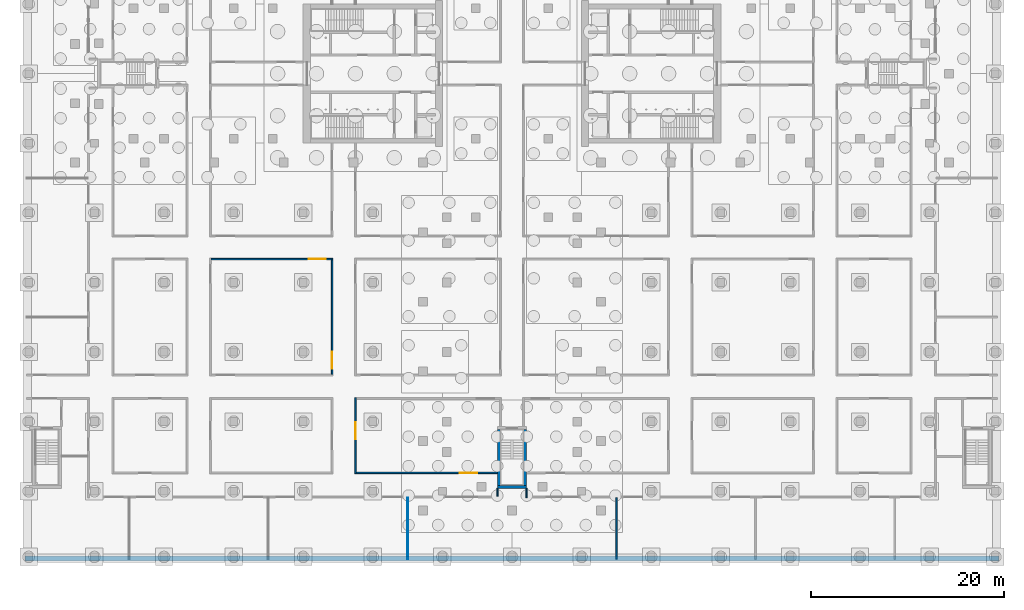
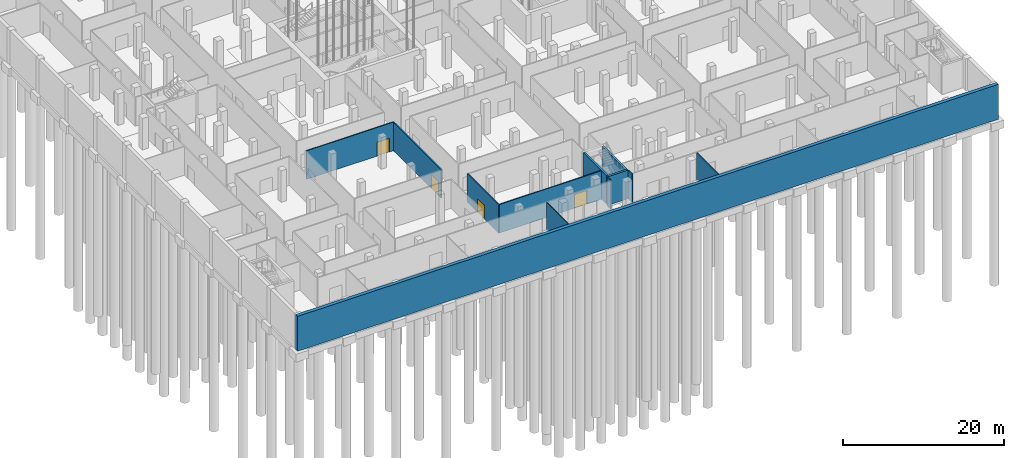
# One storey, part 7 of 54: 12 walls, 4 doors, 4 openings.
"""IFC4 building model written with IfcOpenShell, lengths in metres."""

from ifc_helpers import new_model, si_unit, direction, frame, frame_2d, origin, place, context, subcontext, project, spatial, rectangle, extrude, material, layer, layer_set, type_object, element, fill, save


model = new_model("IFC4")

# Units and contexts
model_context = context("Model", 3, precision=1e-05, world=origin(), true_north=direction((0.0, 1.0)))
body_context = subcontext(model_context, "Body", "Model", "MODEL_VIEW")
ifc_project = project(units=[si_unit("LENGTHUNIT", "METRE"), si_unit("AREAUNIT", "SQUARE_METRE"), si_unit("VOLUMEUNIT", "CUBIC_METRE"), si_unit("PLANEANGLEUNIT", "RADIAN"), si_unit("MASSUNIT", "GRAM", prefix="KILO")], contexts=[model_context])

# Site, building, storey
site_placement = place(None, origin())
site = spatial("IfcSite", under=ifc_project, at=site_placement, CompositionType="ELEMENT")
building_placement = place(site_placement, origin())
building = spatial("IfcBuilding", under=site, at=building_placement, Name="Fustian Cross Tower", CompositionType="ELEMENT")
storey_placement = place(building_placement, frame((0.0, 0.0, -4.800048828125)))
storey = spatial("IfcBuildingStorey", under=building, at=storey_placement, Name="B1", CompositionType="ELEMENT", Elevation=-4.800048828125)

# Wall, opening, door
ifc_material_1 = material(Name="Plasterboard on steel stud", Category="steel")
ifc_layer_1 = layer(ifc_material_1, 0.14990234375)
ifc_layer_set_1 = layer_set([ifc_layer_1], Name="Plasterboard on steel stud")
wall_type_1 = type_object("IfcWallType", Name="COMPARTMENT WALL 150 EI 60", PredefinedType="PARTITIONING", material=ifc_layer_set_1)
wall_1_placement = place(storey_placement, frame((-31.125, -19.199951171875, 0.0), z_axis=(0.0, 0.0, 1.0), x_axis=(1.0, 0.0, 0.0)))
wall_1 = element("IfcWall", 1, at=wall_1_placement, inside=storey, type_object=wall_type_1, Name="Partition 52", PredefinedType="PARTITIONING", context=body_context, shape_type="SweptSolid", body=[
    extrude(rectangle(XDim=12.60009765625, YDim=0.14990234375, at=frame_2d((6.300048828125, 0.0))), origin(), (0.0, 0.0, 1.0), 4.35009765625),
])
opening_1_placement = place(wall_1_placement, frame((10.074951171875, 0.0, 0.0)))
opening_1 = element("IfcOpeningElement", 2, at=opening_1_placement, cuts=wall_1, Name="Opening D01097", PredefinedType="OPENING", context=body_context, shape_type="SweptSolid", body=[
    extrude(rectangle(XDim=1.800048828125, YDim=2.10009765625, at=frame_2d((0.89990234375, 1.050048828125))), frame((0.0, 0.0849609375, 0.0), z_axis=(0.0, -1.0, 0.0), x_axis=(1.0, 0.0, 0.0)), (0.0, 0.0, 1.0), 0.169921875),
])
ifc_material_2 = material(Name="Timber fire door set", Category="wood")
door_type_1 = type_object("IfcDoorType", Name="FIRE DOUBLE DOOR 1800 FD60S", OperationType="DOUBLE_DOOR_DOUBLE_SWING", PredefinedType="DOOR", material=ifc_material_2)
door_1_placement = place(opening_1_placement, origin())
door_1 = element("IfcDoor", 3, at=door_1_placement, inside=storey, type_object=door_type_1, Name="Door D01097", OperationType="DOUBLE_DOOR_DOUBLE_SWING", OverallHeight=2.10009765625, OverallWidth=1.800048828125, PredefinedType="DOOR", context=body_context, shape_type="SweptSolid", body=[
    extrude(rectangle(XDim=1.800048828125, YDim=2.10009765625, at=frame_2d((0.89990234375, 1.050048828125))), frame((0.0, 0.02490234375, 0.0), z_axis=(0.0, -1.0, 0.0), x_axis=(1.0, 0.0, 0.0)), (0.0, 0.0, 1.0), 0.050048828125),
])
fill(opening_1, door_1)

wall_2_placement = place(storey_placement, frame((-18.60009765625, -31.125, 0.0), z_axis=(0.0, 0.0, 1.0), x_axis=(0.0, 1.0, 0.0)))
wall_2 = element("IfcWall", 4, at=wall_2_placement, inside=storey, type_object=wall_type_1, Name="Partition 67", PredefinedType="PARTITIONING", context=body_context, shape_type="SweptSolid", body=[
    extrude(rectangle(XDim=11.85009765625, YDim=0.14990234375, at=frame_2d((5.925048828125, 0.0))), origin(), (0.0, 0.0, 1.0), 4.35009765625),
])
opening_2_placement = place(wall_2_placement, frame((0.574951171875, 0.0, 0.0)))
opening_2 = element("IfcOpeningElement", 5, at=opening_2_placement, cuts=wall_2, Name="Opening D01098", PredefinedType="OPENING", context=body_context, shape_type="SweptSolid", body=[
    extrude(rectangle(XDim=1.800048828125, YDim=2.10009765625, at=frame_2d((0.89990234375, 1.050048828125))), frame((0.0, 0.0849609375, 0.0), z_axis=(0.0, -1.0, 0.0), x_axis=(1.0, 0.0, 0.0)), (0.0, 0.0, 1.0), 0.169921875),
])
door_2_placement = place(opening_2_placement, frame((1.800048828125, 0.0, 0.0), z_axis=(0.0, 0.0, 1.0), x_axis=(-1.0, 0.0, 0.0)))
door_2 = element("IfcDoor", 6, at=door_2_placement, inside=storey, type_object=door_type_1, Name="Door D01098", OperationType="DOUBLE_DOOR_DOUBLE_SWING", OverallHeight=2.10009765625, OverallWidth=1.800048828125, PredefinedType="DOOR", context=body_context, shape_type="SweptSolid", body=[
    extrude(rectangle(XDim=1.800048828125, YDim=2.10009765625, at=frame_2d((0.89990234375, 1.050048828125))), frame((0.0, 0.02490234375, 0.0), z_axis=(0.0, -1.0, 0.0), x_axis=(1.0, 0.0, 0.0)), (0.0, 0.0, 1.0), 0.050048828125),
])
fill(opening_2, door_2)

wall_3_placement = place(storey_placement, frame((-16.199951171875, -41.375, 0.0), z_axis=(0.0, 0.0, 1.0), x_axis=(0.0, 1.0, 0.0)))
wall_3 = element("IfcWall", 7, at=wall_3_placement, inside=storey, type_object=wall_type_1, Name="Partition 72", PredefinedType="PARTITIONING", context=body_context, shape_type="SweptSolid", body=[
    extrude(rectangle(XDim=7.85009765625, YDim=0.14990234375, at=frame_2d((3.925048828125, 0.0))), origin(), (0.0, 0.0, 1.0), 4.35009765625),
])
opening_3_placement = place(wall_3_placement, frame((3.52490234375, 0.0, 0.0)))
opening_3 = element("IfcOpeningElement", 8, at=opening_3_placement, cuts=wall_3, Name="Opening D01017", PredefinedType="OPENING", context=body_context, shape_type="SweptSolid", body=[
    extrude(rectangle(XDim=1.800048828125, YDim=2.10009765625, at=frame_2d((0.89990234375, 1.050048828125))), frame((0.0, 0.0849609375, 0.0), z_axis=(0.0, -1.0, 0.0), x_axis=(1.0, 0.0, 0.0)), (0.0, 0.0, 1.0), 0.169921875),
])
ifc_material_3 = material(Name="Timber fire door set", Category="wood")
door_type_2 = type_object("IfcDoorType", Name="FIRE DOUBLE DOOR 1800 FD30S", OperationType="DOUBLE_DOOR_DOUBLE_SWING", PredefinedType="DOOR", material=ifc_material_3)
door_3_placement = place(opening_3_placement, origin())
door_3 = element("IfcDoor", 9, at=door_3_placement, inside=storey, type_object=door_type_2, Name="Door D01017", OperationType="DOUBLE_DOOR_DOUBLE_SWING", OverallHeight=2.10009765625, OverallWidth=1.800048828125, PredefinedType="DOOR", context=body_context, shape_type="SweptSolid", body=[
    extrude(rectangle(XDim=1.800048828125, YDim=2.10009765625, at=frame_2d((0.89990234375, 1.050048828125))), frame((0.0, 0.02490234375, 0.0), z_axis=(0.0, -1.0, 0.0), x_axis=(1.0, 0.0, 0.0)), (0.0, 0.0, 1.0), 0.050048828125),
])
fill(opening_3, door_3)

wall_4_placement = place(storey_placement, frame((-16.125, -41.300048828125, 0.0), z_axis=(0.0, 0.0, 1.0), x_axis=(1.0, 0.0, 0.0)))
wall_4 = element("IfcWall", 10, at=wall_4_placement, inside=storey, type_object=wall_type_1, Name="Partition 73", PredefinedType="PARTITIONING", context=body_context, shape_type="SweptSolid", body=[
    extrude(rectangle(XDim=14.625, YDim=0.14990234375, at=frame_2d((7.3125, 0.0))), origin(), (0.0, 0.0, 1.0), 4.35009765625),
])
opening_4_placement = place(wall_4_placement, frame((10.72509765625, 0.0, 0.0)))
opening_4 = element("IfcOpeningElement", 11, at=opening_4_placement, cuts=wall_4, Name="Opening D01018", PredefinedType="OPENING", context=body_context, shape_type="SweptSolid", body=[
    extrude(rectangle(XDim=1.800048828125, YDim=2.10009765625, at=frame_2d((0.89990234375, 1.050048828125))), frame((0.0, 0.0849609375, 0.0), z_axis=(0.0, -1.0, 0.0), x_axis=(1.0, 0.0, 0.0)), (0.0, 0.0, 1.0), 0.169921875),
])
door_4_placement = place(opening_4_placement, frame((1.800048828125, 0.0, 0.0), z_axis=(0.0, 0.0, 1.0), x_axis=(-1.0, 0.0, 0.0)))
door_4 = element("IfcDoor", 12, at=door_4_placement, inside=storey, type_object=door_type_2, Name="Door D01018", OperationType="DOUBLE_DOOR_DOUBLE_SWING", OverallHeight=2.10009765625, OverallWidth=1.800048828125, PredefinedType="DOOR", context=body_context, shape_type="SweptSolid", body=[
    extrude(rectangle(XDim=1.800048828125, YDim=2.10009765625, at=frame_2d((0.89990234375, 1.050048828125))), frame((0.0, 0.02490234375, 0.0), z_axis=(0.0, -1.0, 0.0), x_axis=(1.0, 0.0, 0.0)), (0.0, 0.0, 1.0), 0.050048828125),
])
fill(opening_4, door_4)

# Walls
wall_5_placement = place(storey_placement, frame((-1.5, -43.72509765625, 0.0), z_axis=(0.0, 0.0, 1.0), x_axis=(0.0, 1.0, 0.0)))
element("IfcWall", 13, at=wall_5_placement, inside=storey, type_object=wall_type_1, Name="Partition 92", PredefinedType="PARTITIONING", context=body_context, shape_type="SweptSolid", body=[
    extrude(rectangle(XDim=0.8251953125, YDim=0.14990234375, at=frame_2d((0.41259765625, 0.0))), origin(), (0.0, 0.0, 1.0), 4.35009765625),
])
wall_6_placement = place(storey_placement, frame((1.5, -43.875, 0.0), z_axis=(0.0, 0.0, 1.0), x_axis=(0.0, 1.0, 0.0)))
element("IfcWall", 14, at=wall_6_placement, inside=storey, type_object=wall_type_1, Name="Partition 116", PredefinedType="PARTITIONING", context=body_context, shape_type="SweptSolid", body=[
    extrude(rectangle(XDim=0.97509765625, YDim=0.14990234375, at=frame_2d((0.487548828125, 0.0))), origin(), (0.0, 0.0, 1.0), 4.35009765625),
])
wall_7_placement = place(storey_placement, frame((10.800048828125, -50.219970703125, 0.0), z_axis=(0.0, 0.0, 1.0), x_axis=(0.0, 1.0, 0.0)))
element("IfcWall", 15, at=wall_7_placement, inside=storey, type_object=wall_type_1, Name="Partition 122", PredefinedType="PARTITIONING", context=body_context, shape_type="SweptSolid", body=[
    extrude(rectangle(XDim=6.344970703125, YDim=0.14990234375, at=frame_2d((3.17236328125, 0.0))), origin(), (0.0, 0.0, 1.0), 4.35009765625),
])
ifc_material_4 = material(Name="Plasterboard on steel stud", Category="steel")
ifc_layer_2 = layer(ifc_material_4, 0.10009765625)
ifc_layer_set_2 = layer_set([ifc_layer_2], Name="Plasterboard on steel stud")
wall_type_2 = type_object("IfcWallType", Name="PARTITION 100 STUD", PredefinedType="PARTITIONING", material=ifc_layer_set_2)
wall_8_placement = place(storey_placement, frame((-10.800048828125, -50.219970703125, 0.0), z_axis=(0.0, 0.0, 1.0), x_axis=(0.0, 1.0, 0.0)))
element("IfcWall", 16, at=wall_8_placement, inside=storey, type_object=wall_type_2, Name="Partition 88", PredefinedType="PARTITIONING", context=body_context, shape_type="SweptSolid", body=[
    extrude(rectangle(XDim=6.344970703125, YDim=0.10009765625, at=frame_2d((3.17236328125, 0.0))), origin(), (0.0, 0.0, 1.0), 4.35009765625),
])
ifc_material_5 = material(Name="Concrete C40/50", Category="concrete")
ifc_layer_3 = layer(ifc_material_5, 0.5)
ifc_layer_set_3 = layer_set([ifc_layer_3], Name="Concrete C40/50")
wall_type_3 = type_object("IfcWallType", Name="RETAINING WALL 500", PredefinedType="SOLIDWALL", material=ifc_layer_set_3)
wall_9_placement = place(storey_placement, frame((-50.39990234375, -50.14990234375, -0.5), z_axis=(0.0, 0.0, 1.0), x_axis=(1.0, 0.0, 0.0)))
element("IfcWall", 17, at=wall_9_placement, inside=storey, type_object=wall_type_3, Name="RETAINING WALL S", PredefinedType="SOLIDWALL", context=body_context, shape_type="SweptSolid", body=[
    extrude(rectangle(XDim=100.7998046875, YDim=0.5, at=frame_2d((50.39990234375, 0.0))), origin(), (0.0, 0.0, 1.0), 5.300048828125),
])
ifc_material_6 = material(Name="Concrete C50/60", Category="concrete")
ifc_layer_4 = layer(ifc_material_6, 0.300048828125)
ifc_layer_set_4 = layer_set([ifc_layer_4], Name="Concrete C50/60")
wall_type_4 = type_object("IfcWallType", Name="STAIR ENCLOSURE WALL 300 C50/60", PredefinedType="SHEAR", material=ifc_layer_set_4)
wall_10_placement = place(storey_placement, frame((-1.5, -42.75, 0.0), z_axis=(0.0, 0.0, 1.0), x_axis=(1.0, 0.0, 0.0)))
element("IfcWall", 18, at=wall_10_placement, inside=storey, type_object=wall_type_4, Name="Stair enclosure wall", PredefinedType="SHEAR", context=body_context, shape_type="SweptSolid", body=[
    extrude(rectangle(XDim=3.0, YDim=0.300048828125, at=frame_2d((1.5, 0.0))), origin(), (0.0, 0.0, 1.0), 4.35009765625),
])
for number, where, z_axis, x_axis, name in (
    (19, (-1.35009765625, -36.800048828125, 0.0), (0.0, 0.0, 1.0), (0.0, -1.0, 0.0), "Stair enclosure wall"),
    (20, (1.35009765625, -36.800048828125, 0.0), (0.0, 0.0, 1.0), (0.0, -1.0, 0.0), "Stair enclosure wall"),
):
    element("IfcWall", number, at=place(storey_placement, frame(where, z_axis=z_axis, x_axis=x_axis)), inside=storey, type_object=wall_type_4, Name=name, PredefinedType="SHEAR", context=body_context, shape_type="SweptSolid", body=[
        extrude(rectangle(XDim=5.800048828125, YDim=0.300048828125, at=frame_2d((2.89990234375, 0.0))), origin(), (0.0, 0.0, 1.0), 4.35009765625),
    ])

save(model, "model.ifc")
